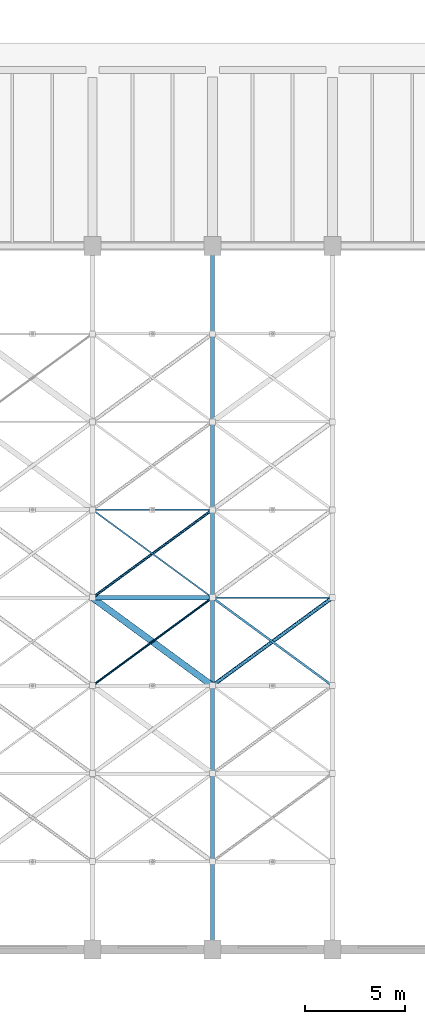
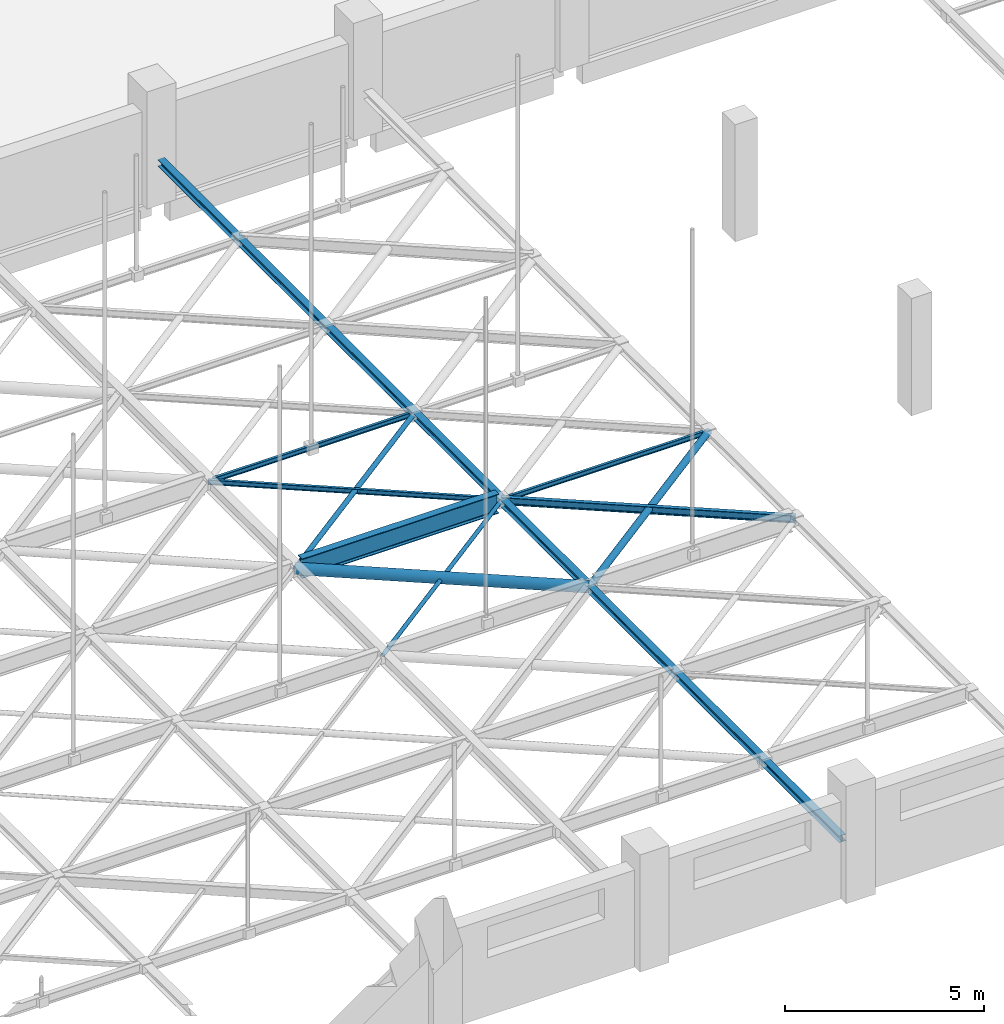
# One storey, part 46 of 93: 6 members, 4 beams.
"""IFC4 building model written with IfcOpenShell, lengths in metres."""

from ifc_helpers import new_model, si_unit, direction, frame, origin, origin_2d, place, context, subcontext, project, spatial, hollow_circle, i_section, extrude, material, material_profile, profile_set, type_object, element, save


model = new_model("IFC4")

# Units and contexts
model_context = context("Model", 3, precision=1e-05, world=origin(), true_north=direction((0.0, 1.0)))
body_context = subcontext(model_context, "Body", "Model", "MODEL_VIEW")
ifc_project = project(units=[si_unit("LENGTHUNIT", "METRE"), si_unit("AREAUNIT", "SQUARE_METRE"), si_unit("VOLUMEUNIT", "CUBIC_METRE"), si_unit("PLANEANGLEUNIT", "RADIAN"), si_unit("MASSUNIT", "GRAM", prefix="KILO")], contexts=[model_context])

# Site, building, storey
site_placement = place(None, origin())
site = spatial("IfcSite", under=ifc_project, at=site_placement, CompositionType="ELEMENT")
building_placement = place(site_placement, origin())
building = spatial("IfcBuilding", under=site, at=building_placement, Name="Varnakota Cinema and Media Centre", CompositionType="ELEMENT")
storey_placement = place(building_placement, frame((0.0, 0.0, 12.0)))
storey = spatial("IfcBuildingStorey", under=building, at=storey_placement, Name="L03", CompositionType="ELEMENT", Elevation=12.0)

# Beams
ifc_material_1 = material(Name="Structural steel Grade 350 (E350)", Category="steel")
ifc_material_profile_1 = material_profile(ifc_material_1, i_section(OverallWidth=0.199951171875, OverallDepth=0.199951171875, WebThickness=0.0078125, FlangeThickness=0.009033203125, FilletRadius=0.009033203125, at=origin_2d()), Name="ISHB 200")
ifc_profile_set_1 = profile_set([ifc_material_profile_1], Name="Structural steel Grade 350 (E350)")
beam_type_1 = type_object("IfcBeamType", Name="BM-ST-ISHB200", PredefinedType="BEAM", material=ifc_profile_set_1)
beam_1_placement = place(storey_placement, frame((123.0, 0.449951171875, 1.300048828125), z_axis=(0.0, 1.0, 0.0), x_axis=(-1.0, 0.0, 0.0)))
element("IfcBeam", 1, at=beam_1_placement, inside=storey, type_object=beam_type_1, Name="V1 acoustic rigging main beam 9", PredefinedType="BEAM", context=body_context, shape_type="SweptSolid", body=[
    extrude(i_section(OverallWidth=0.199951171875, OverallDepth=0.199951171875, WebThickness=0.0078125, FlangeThickness=0.009033203125, FilletRadius=0.009033203125, at=origin_2d()), origin(), (0.0, 0.0, 1.0), 34.300048828125),
])
ifc_material_2 = material(Name="Structural steel Grade 350 (E350)", Category="steel")
ifc_material_profile_2 = material_profile(ifc_material_2, i_section(OverallWidth=0.074951171875, OverallDepth=0.14990234375, WebThickness=0.0048828125, FlangeThickness=0.008056640625, FilletRadius=0.009033203125, at=origin_2d()), Name="ISMB 150")
ifc_profile_set_2 = profile_set([ifc_material_profile_2], Name="Structural steel Grade 350 (E350)")
beam_type_2 = type_object("IfcBeamType", Name="BM-ST-ISMB150", PredefinedType="JOIST", material=ifc_profile_set_2)
for number, where, z_axis, x_axis, name in (
    (2, (117.139892578125, 22.0, 1.300048828125), (1.0, 0.0, 0.0), (0.0, 1.0, 0.0), "V1 rigging beam 8.5"),
    (3, (123.139892578125, 17.60009765625, 1.300048828125), (1.0, 0.0, 0.0), (0.0, 1.0, 0.0), "V1 rigging beam 9.4"),
):
    element("IfcBeam", number, at=place(storey_placement, frame(where, z_axis=z_axis, x_axis=x_axis)), inside=storey, type_object=beam_type_2, Name=name, PredefinedType="JOIST", context=body_context, shape_type="SweptSolid", body=[
        extrude(i_section(OverallWidth=0.074951171875, OverallDepth=0.14990234375, WebThickness=0.0048828125, FlangeThickness=0.008056640625, FilletRadius=0.009033203125, at=origin_2d()), origin(), (0.0, 0.0, 1.0), 5.72021484375),
    ])
ifc_material_3 = material(Name="Structural steel Grade 350 (E350)", Category="steel")
ifc_material_profile_3 = material_profile(ifc_material_3, i_section(OverallWidth=0.2099609375, OverallDepth=0.60009765625, WebThickness=0.011962890625, FlangeThickness=0.020751953125, FilletRadius=0.02001953125, at=origin_2d()), Name="ISMB 600")
ifc_profile_set_3 = profile_set([ifc_material_profile_3], Name="Structural steel Grade 350 (E350)")
beam_type_3 = type_object("IfcBeamType", Name="BM-ST-ISMB600", PredefinedType="BEAM", material=ifc_profile_set_3)
beam_2_placement = place(storey_placement, frame((117.139892578125, 17.60009765625, 1.300048828125), z_axis=(1.0, 0.0, 0.0), x_axis=(0.0, 1.0, 0.0)))
element("IfcBeam", 4, at=beam_2_placement, inside=storey, type_object=beam_type_3, Name="V1 rigging beam 8.4", PredefinedType="BEAM", context=body_context, shape_type="SweptSolid", body=[
    extrude(i_section(OverallWidth=0.2099609375, OverallDepth=0.60009765625, WebThickness=0.011962890625, FlangeThickness=0.020751953125, FilletRadius=0.02001953125, at=origin_2d()), origin(), (0.0, 0.0, 1.0), 5.72021484375),
])

# Members
ifc_material_4 = material(Name="Structural steel S355 (YSt 355)", Category="steel")
ifc_material_profile_4 = material_profile(ifc_material_4, hollow_circle(Radius=0.05712890625, WallThickness=0.00537109375, at=origin_2d()), Name="CHS 114.3x5.4")
ifc_profile_set_4 = profile_set([ifc_material_profile_4], Name="Structural steel S355 (YSt 355)")
member_type_1 = type_object("IfcMemberType", Name="MEM-ST-CHS114_3x5_4", PredefinedType="BRACE", material=ifc_profile_set_4)
member_1_placement = place(storey_placement, frame((117.0, 13.199951171875, 1.300048828125), z_axis=(0.806395607258, 0.591376466048, 0.0), x_axis=(-0.591376466048, 0.806395607258, 0.0)))
element("IfcMember", 5, at=member_1_placement, inside=storey, type_object=member_type_1, Name="V1 rigging plan member A 8.3", PredefinedType="BRACE", context=body_context, shape_type="SweptSolid", body=[
    extrude(hollow_circle(Radius=0.05712890625, WallThickness=0.00537109375, at=origin_2d()), origin(), (0.0, 0.0, 1.0), 7.4404296875),
])
ifc_material_5 = material(Name="Structural steel S355 (YSt 355)", Category="steel")
ifc_material_profile_5 = material_profile(ifc_material_5, hollow_circle(Radius=0.06982421875, WallThickness=0.006103515625, at=origin_2d()), Name="CHS 139.7x6.0")
ifc_profile_set_5 = profile_set([ifc_material_profile_5], Name="Structural steel S355 (YSt 355)")
member_type_2 = type_object("IfcMemberType", Name="MEM-ST-CHS139_7x6_0", PredefinedType="CHORD", material=ifc_profile_set_5)
member_2_placement = place(storey_placement, frame((117.0, 17.60009765625, 1.300048828125), z_axis=(0.80641125493, 0.591355128432, 0.0), x_axis=(-0.591355128432, 0.80641125493, 0.0)))
element("IfcMember", 6, at=member_2_placement, inside=storey, type_object=member_type_2, Name="V1 rigging plan member A 8.4", PredefinedType="CHORD", context=body_context, shape_type="SweptSolid", body=[
    extrude(hollow_circle(Radius=0.06982421875, WallThickness=0.006103515625, at=origin_2d()), origin(), (0.0, 0.0, 1.0), 7.4404296875),
])
ifc_material_6 = material(Name="Structural steel S355 (YSt 355)", Category="steel")
ifc_material_profile_6 = material_profile(ifc_material_6, hollow_circle(Radius=0.096923828125, WallThickness=0.00634765625, at=origin_2d()), Name="CHS 193.7x6.3")
ifc_profile_set_6 = profile_set([ifc_material_profile_6], Name="Structural steel S355 (YSt 355)")
member_type_3 = type_object("IfcMemberType", Name="MEM-ST-CHS193_7x6_3", PredefinedType="CHORD", material=ifc_profile_set_6)
member_3_placement = place(storey_placement, frame((123.0, 13.199951171875, 1.300048828125), z_axis=(0.806395607258, 0.591376466048, 0.0), x_axis=(-0.591376466048, 0.806395607258, 0.0)))
element("IfcMember", 7, at=member_3_placement, inside=storey, type_object=member_type_3, Name="V1 rigging plan member A 9.3", PredefinedType="CHORD", context=body_context, shape_type="SweptSolid", body=[
    extrude(hollow_circle(Radius=0.096923828125, WallThickness=0.00634765625, at=origin_2d()), origin(), (0.0, 0.0, 1.0), 7.4404296875),
])
ifc_material_7 = material(Name="Structural steel S355 (YSt 355)", Category="steel")
ifc_material_profile_7 = material_profile(ifc_material_7, hollow_circle(Radius=0.161865234375, WallThickness=0.010009765625, at=origin_2d()), Name="CHS 323.9x10.0")
ifc_profile_set_7 = profile_set([ifc_material_profile_7], Name="Structural steel S355 (YSt 355)")
member_type_4 = type_object("IfcMemberType", Name="MEM-ST-CHS323_9x10_0", PredefinedType="CHORD", material=ifc_profile_set_7)
member_4_placement = place(storey_placement, frame((123.0, 13.199951171875, 1.300048828125), z_axis=(-0.806395607258, 0.591376466048, 0.0), x_axis=(-0.591376466048, -0.806395607258, 0.0)))
element("IfcMember", 8, at=member_4_placement, inside=storey, type_object=member_type_4, Name="V1 rigging plan member B 8.3", PredefinedType="CHORD", context=body_context, shape_type="SweptSolid", body=[
    extrude(hollow_circle(Radius=0.161865234375, WallThickness=0.010009765625, at=origin_2d()), origin(), (0.0, 0.0, 1.0), 7.4404296875),
])
ifc_material_8 = material(Name="Structural steel Grade 350 (E350)", Category="steel")
ifc_material_profile_8 = material_profile(ifc_material_8, i_section(OverallWidth=0.074951171875, OverallDepth=0.14990234375, WebThickness=0.0048828125, FlangeThickness=0.008056640625, FilletRadius=0.009033203125, at=origin_2d()), Name="ISMB 150")
ifc_profile_set_8 = profile_set([ifc_material_profile_8], Name="Structural steel Grade 350 (E350)")
member_type_5 = type_object("IfcMemberType", Name="MEM-ST-ISMB150", PredefinedType="RAFTER", material=ifc_profile_set_8)
member_5_placement = place(storey_placement, frame((123.0, 17.60009765625, 1.300048828125), z_axis=(-0.80641125493, 0.591355128432, 0.0), x_axis=(-0.591355128432, -0.80641125493, 0.0)))
element("IfcMember", 9, at=member_5_placement, inside=storey, type_object=member_type_5, Name="V1 rigging plan member B 8.4", PredefinedType="RAFTER", context=body_context, shape_type="SweptSolid", body=[
    extrude(i_section(OverallWidth=0.074951171875, OverallDepth=0.14990234375, WebThickness=0.0048828125, FlangeThickness=0.008056640625, FilletRadius=0.009033203125, at=origin_2d()), origin(), (0.0, 0.0, 1.0), 7.4404296875),
])
ifc_material_9 = material(Name="Structural steel Grade 350 (E350)", Category="steel")
ifc_material_profile_9 = material_profile(ifc_material_9, i_section(OverallWidth=0.110107421875, OverallDepth=0.22509765625, WebThickness=0.006591796875, FlangeThickness=0.01171875, FilletRadius=0.011962890625, at=origin_2d()), Name="ISMB 225")
ifc_profile_set_9 = profile_set([ifc_material_profile_9], Name="Structural steel Grade 350 (E350)")
member_type_6 = type_object("IfcMemberType", Name="MEM-ST-ISMB225", PredefinedType="RAFTER", material=ifc_profile_set_9)
member_6_placement = place(storey_placement, frame((129.0, 13.199951171875, 1.300048828125), z_axis=(-0.806395607258, 0.591376466048, 0.0), x_axis=(-0.591376466048, -0.806395607258, 0.0)))
element("IfcMember", 10, at=member_6_placement, inside=storey, type_object=member_type_6, Name="V1 rigging plan member B 9.3", PredefinedType="RAFTER", context=body_context, shape_type="SweptSolid", body=[
    extrude(i_section(OverallWidth=0.110107421875, OverallDepth=0.22509765625, WebThickness=0.006591796875, FlangeThickness=0.01171875, FilletRadius=0.011962890625, at=origin_2d()), origin(), (0.0, 0.0, 1.0), 7.4404296875),
])

save(model, "model.ifc")
